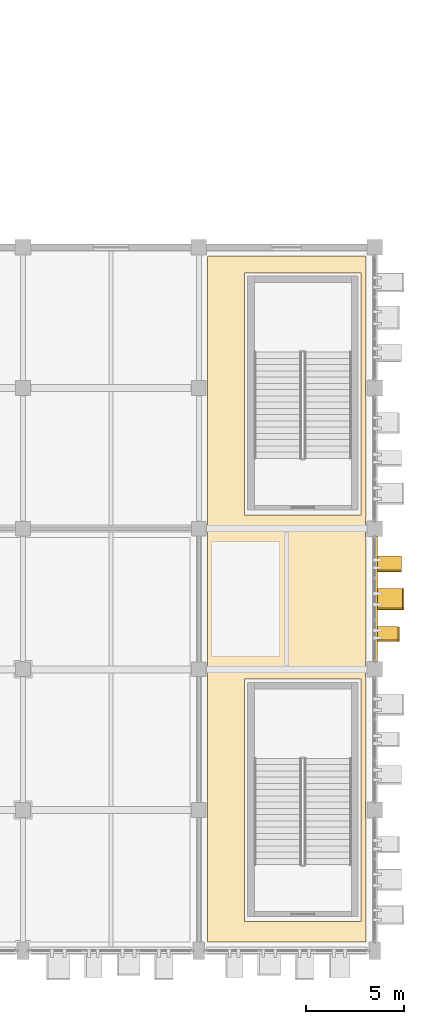
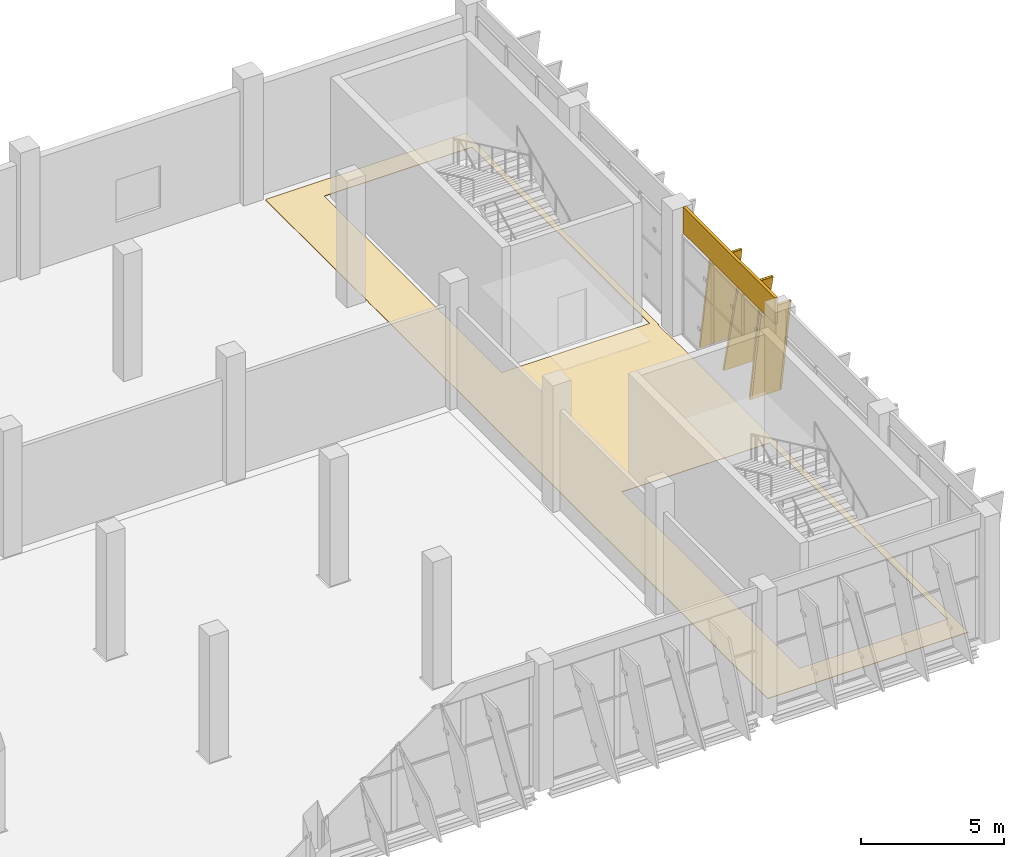
# One storey, part 122 of 137: 5 coverings, 3 shading devices.
"""IFC4 building model written with IfcOpenShell, lengths in metres."""

import ifcopenshell
import ifcopenshell.guid

model = None  # the IFC model being written
_history = None  # IfcOwnerHistory: only IFC2X3 demands one
_inside = {}  # id of a spatial element -> (the spatial element, [elements in it])
_under = {}  # id of a project, library or spatial element -> (it, [spatial elements below it])
_declared = {}  # id of a project -> (the project, [libraries it declares])
_typed = {}  # id of a type object -> (the type object, [elements of that type])
_made_of = {}  # id of a material, layer set ... -> (it, [elements and type objects made of it])


def new_model(schema):
    """Start an empty IFC model of exactly this schema.

    Asked for "IFC4X3", IfcOpenShell would pick the latest addendum, in which some entities
    have other attributes; the version numbers below select the first issue.
    IFC2X3 requires an IfcOwnerHistory on every rooted entity: one is made here for all.
    """
    global model, _history
    if schema == "IFC4X3":
        model = ifcopenshell.file(schema_version=(4, 3, 0, 0))
    else:
        model = ifcopenshell.file(schema=schema)
    _inside.clear()
    _under.clear()
    _declared.clear()
    _typed.clear()
    _made_of.clear()
    _history = None
    if model.schema == "IFC2X3":
        org = make("IfcOrganization", Name="unknown")
        user = make(
            "IfcPersonAndOrganization",
            ThePerson=make("IfcPerson", FamilyName="unknown"),
            TheOrganization=org,
        )
        app = make(
            "IfcApplication",
            ApplicationDeveloper=org,
            Version="unknown",
            ApplicationFullName="unknown",
            ApplicationIdentifier="unknown",
        )
        _history = make(
            "IfcOwnerHistory",
            OwningUser=user,
            OwningApplication=app,
            ChangeAction="ADDED",
            CreationDate=0,
        )
    return model


def make(cls, **values):
    """One entity of the class cls with the attributes given. An attribute that is None is left unset."""
    return model.create_entity(
        cls, **{name: value for name, value in values.items() if value is not None}
    )


def rooted(cls, **values):
    """An entity with a GlobalId (a new one), such as an element, a storey or a relation."""
    return make(cls, GlobalId=ifcopenshell.guid.new(), OwnerHistory=_history, **values)


def si_unit(unit_type, name, prefix=None):
    """IfcSIUnit, for example si_unit("LENGTHUNIT", "METRE", prefix="MILLI")."""
    return make("IfcSIUnit", UnitType=unit_type, Prefix=prefix, Name=name)


def assignment(units):
    """IfcUnitAssignment: the units of a project."""
    return None if units is None else make("IfcUnitAssignment", Units=units)


def point(xyz):
    """IfcCartesianPoint."""
    return None if xyz is None else make("IfcCartesianPoint", Coordinates=xyz)


def direction(xyz):
    """IfcDirection."""
    return None if xyz is None else make("IfcDirection", DirectionRatios=xyz)


def frame(location, z_axis=None, x_axis=None):
    """IfcAxis2Placement3D, a coordinate frame: its origin and axes. An axis left out is left unset."""
    return make(
        "IfcAxis2Placement3D",
        Location=point(location),
        Axis=direction(z_axis),
        RefDirection=direction(x_axis),
    )


def frame_2d(location, x_axis=None):
    """IfcAxis2Placement2D, a coordinate frame in the plane: its origin and x axis."""
    return make(
        "IfcAxis2Placement2D", Location=point(location), RefDirection=direction(x_axis)
    )


def origin():
    """The frame at (0, 0, 0) with its axes left unset."""
    return frame((0.0, 0.0, 0.0))


def origin_2d():
    """The frame at (0, 0) in the plane with its x axis left unset."""
    return frame_2d((0.0, 0.0))


def place(relative_to, where):
    """IfcLocalPlacement: puts the frame where relative to a parent placement (None: the world)."""
    return make(
        "IfcLocalPlacement", PlacementRelTo=relative_to, RelativePlacement=where
    )


def context(
    kind, dimensions, precision=None, world=None, true_north=None, identifier=None
):
    """IfcGeometricRepresentationContext, for example the 3D "Model" context."""
    return make(
        "IfcGeometricRepresentationContext",
        ContextIdentifier=identifier,
        ContextType=kind,
        CoordinateSpaceDimension=dimensions,
        Precision=precision,
        WorldCoordinateSystem=world,
        TrueNorth=true_north,
    )


def subcontext(parent, identifier, kind, view, scale=None):
    """IfcGeometricRepresentationSubContext, for example "Body" below "Model"."""
    return make(
        "IfcGeometricRepresentationSubContext",
        ContextIdentifier=identifier,
        ContextType=kind,
        ParentContext=parent,
        TargetScale=scale,
        TargetView=view,
    )


def project(units=None, contexts=None):
    """IfcProject with its units and contexts."""
    return rooted(
        "IfcProject",
        Name="project",
        RepresentationContexts=contexts,
        UnitsInContext=assignment(units),
    )


def spatial(cls, under=None, at=None, **own):
    """A site, building, storey or space (cls), placed at a placement, below another one or the project."""
    s = rooted(cls, ObjectPlacement=at, **own)
    if under is not None:
        _under.setdefault(under.id(), (under, []))[1].append(s)
    return s


def polyline(points):
    """IfcPolyline through the points."""
    return make("IfcPolyline", Points=[point(p) for p in points])


def profile(cls, at=None, kind="AREA", **sizes):
    """A parametric profile (cls). Its sizes go by their IFC names, for example OverallWidth=200.0."""
    return make(cls, ProfileType=kind, Position=at, **sizes)


def rectangle(**sizes):
    """IfcRectangleProfileDef."""
    return profile("IfcRectangleProfileDef", **sizes)


def outline(outer, holes=None, kind="AREA"):
    """IfcArbitraryClosedProfileDef: a profile drawn as a closed curve; with holes, ...WithVoids."""
    if holes is None:
        return make("IfcArbitraryClosedProfileDef", ProfileType=kind, OuterCurve=outer)
    return make(
        "IfcArbitraryProfileDefWithVoids",
        ProfileType=kind,
        OuterCurve=outer,
        InnerCurves=holes,
    )


def extrude(swept, where, along, depth):
    """IfcExtrudedAreaSolid: the profile swept, set in the frame where, extruded along a direction by depth."""
    return make(
        "IfcExtrudedAreaSolid",
        SweptArea=swept,
        Position=where,
        ExtrudedDirection=direction(along),
        Depth=depth,
    )


def shape(context_of_items, identifier, shape_type, items):
    """IfcShapeRepresentation: the items that make up one representation, for example the "Body"."""
    return make(
        "IfcShapeRepresentation",
        ContextOfItems=context_of_items,
        RepresentationIdentifier=identifier,
        RepresentationType=shape_type,
        Items=items,
    )


def material(Name=None, Category=None):
    """IfcMaterial."""
    return make("IfcMaterial", Name=Name, Category=Category)


def layer(
    of_material, thickness, ventilated=None, Name=None, Category=None, Priority=None
):
    """IfcMaterialLayer: one layer of a wall or slab, of a material (None: an air gap)."""
    return make(
        "IfcMaterialLayer",
        Material=of_material,
        LayerThickness=thickness,
        IsVentilated=ventilated,
        Name=Name,
        Category=Category,
        Priority=Priority,
    )


def layer_set(layers, Name=None):
    """IfcMaterialLayerSet."""
    return make("IfcMaterialLayerSet", MaterialLayers=layers, LayerSetName=Name)


def material_profile(
    of_material, cross_section, Name=None, Category=None, Priority=None
):
    """IfcMaterialProfile: a cross section and its material."""
    return make(
        "IfcMaterialProfile",
        Name=Name,
        Material=of_material,
        Profile=cross_section,
        Priority=Priority,
        Category=Category,
    )


def profile_set(profiles, Name=None, composite=None):
    """IfcMaterialProfileSet."""
    return make(
        "IfcMaterialProfileSet",
        Name=Name,
        MaterialProfiles=profiles,
        CompositeProfile=composite,
    )


def made_of(thing, what):
    """Note that an element or type object is made of a material, layer set ...; save() writes the relation."""
    if what is not None:
        _made_of.setdefault(what.id(), (what, []))[1].append(thing)
    return thing


def type_object(cls, material=None, **own):
    """A type object (cls), such as IfcWallType, which elements share."""
    return made_of(rooted(cls, **own), material)


def element(
    cls,
    number,
    at=None,
    inside=None,
    cuts=None,
    type_object=None,
    material=None,
    context=None,
    identifier="Body",
    shape_type=None,
    held_by="IfcProductDefinitionShape",
    body=None,
    shapes=None,
    **own,
):
    """One element of the class cls, such as IfcWall. Its Tag is "e" and its number.

    at: its placement. inside: the storey or other place that contains it. cuts: it is an
    opening in that element (IfcRelVoidsElement). A single representation is given by context,
    identifier, shape_type and body (its items); several are given by shapes. held_by: the class
    of the entity that holds the representations. save() writes the other relations.
    """
    e = rooted(cls, Tag="e%d" % number, ObjectPlacement=at, **own)
    if body is not None:
        shapes = [shape(context, identifier, shape_type, body)]
    if shapes is not None:
        e.Representation = make(held_by, Representations=shapes)
    if inside is not None:
        _inside.setdefault(inside.id(), (inside, []))[1].append(e)
    if cuts is not None:
        rooted(
            "IfcRelVoidsElement", RelatingBuildingElement=cuts, RelatedOpeningElement=e
        )
    if type_object is not None:
        _typed.setdefault(type_object.id(), (type_object, []))[1].append(e)
    return made_of(e, material)


def aggregate(whole, parts):
    """IfcRelAggregates: a whole, such as a stair, and the parts it consists of."""
    return rooted("IfcRelAggregates", RelatingObject=whole, RelatedObjects=parts)


def save(model, path):
    """Write the relations noted so far, then the file.

    IfcRelAggregates (storeys below a building ...), IfcRelContainedInSpatialStructure (elements
    in a storey), IfcRelDefinesByType, IfcRelAssociatesMaterial and IfcRelDeclares: one each for
    every whole, place, type object, material and project.
    """
    for whole, parts in _under.values():
        aggregate(whole, parts)
    for where, things in _inside.values():
        rooted(
            "IfcRelContainedInSpatialStructure",
            RelatedElements=things,
            RelatingStructure=where,
        )
    for kind, things in _typed.values():
        rooted("IfcRelDefinesByType", RelatedObjects=things, RelatingType=kind)
    for what, things in _made_of.values():
        rooted("IfcRelAssociatesMaterial", RelatedObjects=things, RelatingMaterial=what)
    for by, libraries in _declared.values():
        rooted("IfcRelDeclares", RelatingContext=by, RelatedDefinitions=libraries)
    model.write(path)


model = new_model("IFC4")

# Units and contexts
model_context = context("Model", 3, precision=1e-05, world=origin(), true_north=direction((0.0, 1.0)))
body_context = subcontext(model_context, "Body", "Model", "MODEL_VIEW")
ifc_project = project(units=[si_unit("LENGTHUNIT", "METRE"), si_unit("AREAUNIT", "SQUARE_METRE"), si_unit("VOLUMEUNIT", "CUBIC_METRE"), si_unit("PLANEANGLEUNIT", "RADIAN"), si_unit("MASSUNIT", "GRAM", prefix="KILO")], contexts=[model_context])

# Site, building, storey
site_placement = place(None, origin())
site = spatial("IfcSite", under=ifc_project, at=site_placement, CompositionType="ELEMENT")
building_placement = place(site_placement, origin())
building = spatial("IfcBuilding", under=site, at=building_placement, Name="Celestram Park Convention Centre", CompositionType="ELEMENT")
storey_placement = place(building_placement, origin())
storey = spatial("IfcBuildingStorey", under=building, at=storey_placement, Name="L00", CompositionType="ELEMENT", Elevation=0.0)

# Coverings
ifc_material_1 = material(Name="Anodised Bronze Aluminium Spandrel Cladding", Category="aluminium")
ifc_layer_1 = layer(ifc_material_1, 0.050048828125)
ifc_layer_set_1 = layer_set([ifc_layer_1], Name="Anodised Bronze Aluminium Spandrel Cladding")
covering_type_1 = type_object("IfcCoveringType", Name="ARC-COV-CLD060", PredefinedType="CLADDING", material=ifc_layer_set_1)
covering_1_placement = place(storey_placement, frame((216.080078125, 18.0, 4.2841796875), z_axis=(0.0, 0.0, 1.0), x_axis=(0.0, -1.0, 0.0)))
element("IfcCovering", 1, at=covering_1_placement, inside=storey, type_object=covering_type_1, Name="Bronze spandrel cladding CL-L00-023", PredefinedType="CLADDING", context=body_context, shape_type="SweptSolid", body=[
    extrude(rectangle(XDim=6.404052734375, YDim=0.1201171875, at=origin_2d()), origin(), (0.0, 0.0, 1.0), 1.115966796875),
])
ifc_material_2 = material(Name="Timber-Toned Anodised Aluminium Alloy 6063-T6", Category="wood")
ifc_material_profile_1 = material_profile(ifc_material_2, rectangle(XDim=1.1201171875, YDim=0.090087890625, at=origin_2d()), Name="REED1120X90")
ifc_profile_set_1 = profile_set([ifc_material_profile_1], Name="Timber-Toned Anodised Aluminium Alloy 6063-T6")
covering_type_2 = type_object("IfcCoveringType", Name="ARC-COV-FIN1120", PredefinedType="CLADDING", material=ifc_profile_set_1)
covering_2_placement = place(storey_placement, frame((216.639892578125, 16.5400390625, 0.032470703125), z_axis=(0.0, -0.159892813281, 0.987134382068), x_axis=(1.0, 0.0, 0.0)))
element("IfcCovering", 2, at=covering_2_placement, inside=storey, type_object=covering_type_2, Name="Leaning timber-toned reed fin RFN-L00-0076", PredefinedType="CLADDING", context=body_context, shape_type="SweptSolid", body=[
    extrude(rectangle(XDim=1.1201171875, YDim=0.090087890625, at=origin_2d()), origin(), (0.0, 0.0, 1.0), 4.25390625),
])
ifc_material_profile_2 = material_profile(ifc_material_2, rectangle(XDim=1.280029296875, YDim=0.090087890625, at=origin_2d()), Name="REED1280X90")
ifc_profile_set_2 = profile_set([ifc_material_profile_2], Name="Timber-Toned Anodised Aluminium Alloy 6063-T6")
covering_type_3 = type_object("IfcCoveringType", Name="ARC-COV-FIN1280", PredefinedType="CLADDING", material=ifc_profile_set_2)
covering_3_placement = place(storey_placement, frame((216.719970703125, 20.162109375, 0.035888671875), z_axis=(0.0, -0.170212469011, 0.985407385498), x_axis=(1.0, 0.0, 0.0)))
element("IfcCovering", 3, at=covering_3_placement, inside=storey, type_object=covering_type_3, Name="Leaning timber-toned reed fin RFN-L00-0074", PredefinedType="CLADDING", context=body_context, shape_type="SweptSolid", body=[
    extrude(rectangle(XDim=1.280029296875, YDim=0.090087890625, at=origin_2d()), origin(), (0.0, 0.0, 1.0), 4.254150390625),
])
ifc_material_profile_3 = material_profile(ifc_material_2, rectangle(XDim=1.419921875, YDim=0.090087890625, at=origin_2d()), Name="REED1420X90")
ifc_profile_set_3 = profile_set([ifc_material_profile_3], Name="Timber-Toned Anodised Aluminium Alloy 6063-T6")
covering_type_4 = type_object("IfcCoveringType", Name="ARC-COV-FIN1420", PredefinedType="CLADDING", material=ifc_profile_set_3)
covering_4_placement = place(storey_placement, frame((216.7900390625, 18.50732421875, 0.06640625), z_axis=(0.0, -0.238522836096, 0.971136888734), x_axis=(1.0, 0.0, 0.0)))
element("IfcCovering", 4, at=covering_4_placement, inside=storey, type_object=covering_type_4, Name="Leaning timber-toned reed fin RFN-L00-0075", PredefinedType="CLADDING", context=body_context, shape_type="SweptSolid", body=[
    extrude(rectangle(XDim=1.419921875, YDim=0.090087890625, at=origin_2d()), origin(), (0.0, 0.0, 1.0), 4.25390625),
])
ifc_material_3 = material(Name="Polished Lakefront Aggregate Terrazzo Flooring", Category="concrete")
ifc_layer_2 = layer(ifc_material_3, 0.02001953125)
ifc_layer_set_2 = layer_set([ifc_layer_2], Name="Polished Lakefront Aggregate Terrazzo Flooring")
covering_type_5 = type_object("IfcCoveringType", Name="ARC-COV-FLR020", PredefinedType="FLOORING", material=ifc_layer_set_2)
covering_5_placement = place(storey_placement, origin())
element("IfcCovering", 5, at=covering_5_placement, inside=storey, type_object=covering_type_5, Name="East Ballroom Stair Foyer L00 terrazzo flooring", PredefinedType="FLOORING", context=body_context, shape_type="SweptSolid", body=[
    extrude(outline(polyline([(215.52197265625, 35.550048828125), (215.52197265625, 35.52197265625), (215.550048828125, 35.52197265625), (215.550048828125, 29.278076171875), (215.52197265625, 29.278076171875), (215.52197265625, 28.322021484375), (215.550048828125, 28.322021484375), (215.550048828125, 22.077880859375), (215.52197265625, 22.077880859375), (215.52197265625, 21.1220703125), (215.550048828125, 21.1220703125), (215.550048828125, 14.8779296875), (215.52197265625, 14.8779296875), (215.52197265625, 13.922119140625), (215.550048828125, 13.922119140625), (215.550048828125, 7.677978515625), (215.52197265625, 7.677978515625), (215.52197265625, 6.721923828125), (215.550048828125, 6.721923828125), (215.550048828125, 0.449951171875), (207.449951171875, 0.449951171875), (207.449951171875, 6.7470703125), (207.452880859375, 6.7470703125), (207.452880859375, 7.653076171875), (207.449951171875, 7.653076171875), (207.449951171875, 13.947021484375), (207.452880859375, 13.947021484375), (207.452880859375, 14.85302734375), (207.449951171875, 14.85302734375), (207.449951171875, 21.14697265625), (207.452880859375, 21.14697265625), (207.452880859375, 22.052978515625), (207.449951171875, 22.052978515625), (207.449951171875, 28.346923828125), (207.452880859375, 28.346923828125), (207.452880859375, 29.2529296875), (207.449951171875, 29.2529296875), (207.449951171875, 35.52197265625), (207.47802734375, 35.52197265625), (207.47802734375, 35.550048828125), (215.52197265625, 35.550048828125)]), holes=[polyline([(215.300048828125, 13.89990234375), (209.340087890625, 13.89990234375), (209.340087890625, 1.5), (215.300048828125, 1.5), (215.300048828125, 13.89990234375)]), polyline([(215.300048828125, 34.699951171875), (209.340087890625, 34.699951171875), (209.340087890625, 22.300048828125), (215.300048828125, 22.300048828125), (215.300048828125, 34.699951171875)])]), origin(), (0.0, 0.0, 1.0), 0.02001953125),
])

# Shading devices
ifc_material_4 = material(Name="Anodised Bronze Aluminium Alloy 6063-T6", Category="aluminium")
ifc_material_profile_4 = material_profile(ifc_material_4, rectangle(XDim=1.280029296875, YDim=0.080078125, at=origin_2d()), Name="FIN1280X80")
ifc_profile_set_4 = profile_set([ifc_material_profile_4], Name="Anodised Bronze Aluminium Alloy 6063-T6")
shading_device_type = type_object("IfcShadingDeviceType", Name="ARC-FIN-BZ1280", PredefinedType="USERDEFINED", material=ifc_profile_set_4)
shading_device_placement = place(storey_placement, frame((216.719970703125, 20.162109375, 0.035888671875), z_axis=(0.0, -0.170212469011, 0.985407385498), x_axis=(1.0, 0.0, 0.0)))
element("IfcShadingDevice", 6, at=shading_device_placement, inside=storey, type_object=shading_device_type, Name="Expressive solar fin FN-L00-0074", ObjectType="SOLAR_FIN", PredefinedType="USERDEFINED", context=body_context, shape_type="SweptSolid", body=[
    extrude(rectangle(XDim=1.280029296875, YDim=0.080078125, at=origin_2d()), origin(), (0.0, 0.0, 1.0), 4.254150390625),
])
for number, where, z_axis, x_axis, name in (
    (7, (216.7900390625, 18.50732421875, 0.06640625), (0.0, -0.238522836096, 0.971136888734), (1.0, 0.0, 0.0), "Expressive solar fin FN-L00-0075"),
    (8, (216.639892578125, 16.5400390625, 0.032470703125), (0.0, -0.159892813281, 0.987134382068), (1.0, 0.0, 0.0), "Expressive solar fin FN-L00-0076"),
):
    element("IfcShadingDevice", number, at=place(storey_placement, frame(where, z_axis=z_axis, x_axis=x_axis)), inside=storey, type_object=shading_device_type, Name=name, ObjectType="SOLAR_FIN", PredefinedType="USERDEFINED", context=body_context, shape_type="SweptSolid", body=[
        extrude(rectangle(XDim=1.280029296875, YDim=0.080078125, at=origin_2d()), origin(), (0.0, 0.0, 1.0), 4.25390625),
    ])

save(model, "model.ifc")
